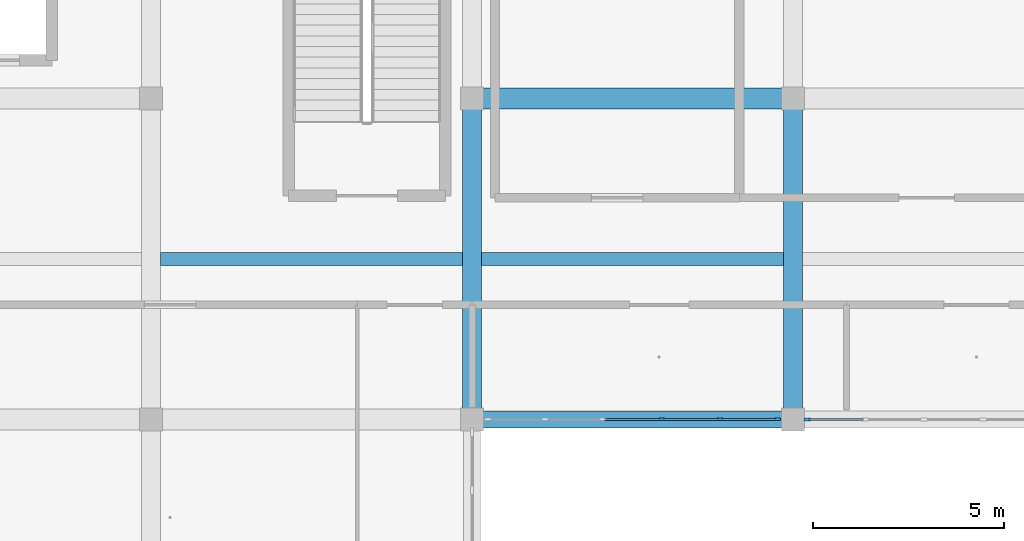
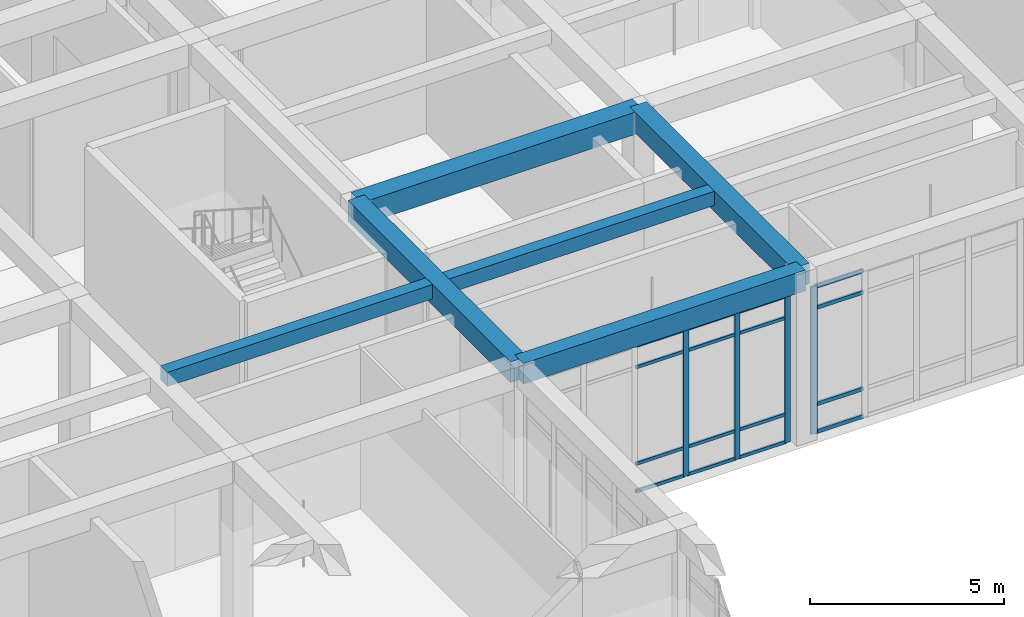
# One storey, part 40 of 157: 20 members, 6 beams, 2 elements without a shape of their own.
"""IFC4 building model written with IfcOpenShell, lengths in metres."""

from ifc_helpers import new_model, si_unit, direction, frame, origin, origin_2d, place, context, subcontext, project, spatial, rectangle, extrude, material, material_profile, profile_set, type_object, element, aggregate, save


model = new_model("IFC4")

# Units and contexts
model_context = context("Model", 3, precision=1e-05, world=origin(), true_north=direction((0.0, 1.0)))
body_context = subcontext(model_context, "Body", "Model", "MODEL_VIEW")
ifc_project = project(units=[si_unit("LENGTHUNIT", "METRE"), si_unit("AREAUNIT", "SQUARE_METRE"), si_unit("VOLUMEUNIT", "CUBIC_METRE"), si_unit("PLANEANGLEUNIT", "RADIAN"), si_unit("MASSUNIT", "GRAM", prefix="KILO")], contexts=[model_context])

# Site, building, storey
site_placement = place(None, origin())
site = spatial("IfcSite", under=ifc_project, at=site_placement, CompositionType="ELEMENT")
building_placement = place(site_placement, origin())
building = spatial("IfcBuilding", under=site, at=building_placement, Name="Varncliffe General Hospital", CompositionType="ELEMENT")
storey_placement = place(building_placement, frame((0.0, 0.0, 5.39990234375)))
storey = spatial("IfcBuildingStorey", under=building, at=storey_placement, Name="L01", CompositionType="ELEMENT", Elevation=5.39990234375)

# Beams
ifc_material_1 = material(Name="Concrete C35/45 (CSA A23.1 35 MPa)", Category="concrete")
ifc_material_profile_1 = material_profile(ifc_material_1, rectangle(XDim=0.5, YDim=0.64990234375, at=origin_2d()), Name="RC 500x650")
ifc_profile_set_1 = profile_set([ifc_material_profile_1], Name="Concrete C35/45 (CSA A23.1 35 MPa)")
beam_type_1 = type_object("IfcBeamType", Name="Beam B29 (Int RC 500x650)", PredefinedType="BEAM", material=ifc_profile_set_1)
for number, where, z_axis, x_axis, name in (
    (1, (117.60009765625, 82.800048828125, 5.0751953125), (0.0, 1.0, 0.0), (-1.0, 0.0, 0.0), "L01 Primary Beam B29-426"),
    (2, (126.0, 82.800048828125, 5.0751953125), (0.0, 1.0, 0.0), (-1.0, 0.0, 0.0), "L01 Primary Beam B29-435"),
):
    element("IfcBeam", number, at=place(storey_placement, frame(where, z_axis=z_axis, x_axis=x_axis)), inside=storey, type_object=beam_type_1, Name=name, PredefinedType="BEAM", context=body_context, shape_type="SweptSolid", body=[
        extrude(rectangle(XDim=0.5, YDim=0.64990234375, at=origin_2d()), origin(), (0.0, 0.0, 1.0), 8.39990234375),
    ])
ifc_material_profile_2 = material_profile(ifc_material_1, rectangle(XDim=0.550048828125, YDim=0.699951171875, at=origin_2d()), Name="RC 550x700")
ifc_profile_set_2 = profile_set([ifc_material_profile_2], Name="Concrete C35/45 (CSA A23.1 35 MPa)")
beam_type_2 = type_object("IfcBeamType", Name="Beam B35 (Int RC 550x700)", PredefinedType="BEAM", material=ifc_profile_set_2)
beam_1_placement = place(storey_placement, frame((117.60009765625, 91.199951171875, 5.050048828125), z_axis=(1.0, 0.0, 0.0), x_axis=(0.0, 1.0, 0.0)))
element("IfcBeam", 3, at=beam_1_placement, inside=storey, type_object=beam_type_2, Name="L01 Primary Beam B35-144", PredefinedType="BEAM", context=body_context, shape_type="SweptSolid", body=[
    extrude(rectangle(XDim=0.550048828125, YDim=0.699951171875, at=origin_2d()), origin(), (0.0, 0.0, 1.0), 8.39990234375),
])

# Curtain wall, member
ifc_material_2 = material(Name="Triple low-E argon insulated vision glazing", Category="glass")
curtain_wall_type_1 = type_object("IfcCurtainWallType", Name="Unitised Glazed Curtain Wall CW70 (7724x4640)", PredefinedType="USERDEFINED", material=ifc_material_2)
curtain_wall_1_placement = place(storey_placement, origin())
curtain_wall_1 = element("IfcCurtainWall", 4, at=curtain_wall_1_placement, inside=storey, type_object=curtain_wall_type_1, Name="L01 Glazed Curtain Wall CW70-70", ObjectType="GLAZED CURTAIN WALL", PredefinedType="USERDEFINED")
ifc_material_3 = material(Name="Dark bronze thermally broken aluminium framing", Category="aluminium")
ifc_material_profile_3 = material_profile(ifc_material_3, rectangle(XDim=0.074951171875, YDim=0.179931640625, at=origin_2d()), Name="ALU 75x180")
ifc_profile_set_3 = profile_set([ifc_material_profile_3], Name="Dark bronze thermally broken aluminium framing")
member_type_1 = type_object("IfcMemberType", Name="Curtain Wall Mullion CM44 (ALU 75x180)", PredefinedType="MULLION", material=ifc_profile_set_3)
member_1_placement = place(storey_placement, frame((126.37548828125, 82.800048828125, 0.0), z_axis=(0.0, 0.0, 1.0), x_axis=(0.0, -1.0, 0.0)))
member_1 = element("IfcMember", 5, at=member_1_placement, type_object=member_type_1, Name="CW70 mullion 6", PredefinedType="MULLION", context=body_context, shape_type="SweptSolid", body=[
    extrude(rectangle(XDim=0.074951171875, YDim=0.179931640625, at=origin_2d()), origin(), (0.0, 0.0, 1.0), 4.64013671875),
])

# Curtain wall, members
curtain_wall_type_2 = type_object("IfcCurtainWallType", Name="Unitised Glazed Curtain Wall CW27 (7644x4640)", PredefinedType="USERDEFINED", material=ifc_material_2)
curtain_wall_2_placement = place(storey_placement, origin())
curtain_wall_2 = element("IfcCurtainWall", 6, at=curtain_wall_2_placement, inside=storey, type_object=curtain_wall_type_2, Name="L01 Glazed Curtain Wall CW27-71", ObjectType="GLAZED CURTAIN WALL", PredefinedType="USERDEFINED")
ifc_material_profile_4 = material_profile(ifc_material_3, rectangle(XDim=0.06494140625, YDim=0.159912109375, at=origin_2d()), Name="ALU 65x160")
ifc_profile_set_4 = profile_set([ifc_material_profile_4], Name="Dark bronze thermally broken aluminium framing")
member_type_2 = type_object("IfcMemberType", Name="Curtain Wall Mullion CM65 (ALU 65x160)", PredefinedType="MULLION", material=ifc_profile_set_4)
member_2_placement = place(storey_placement, frame((125.589599609375, 82.800048828125, 0.0), z_axis=(0.0, 0.0, 1.0), x_axis=(0.0, -1.0, 0.0)))
member_2 = element("IfcMember", 7, at=member_2_placement, type_object=member_type_2, Name="CW27 mullion 1", PredefinedType="MULLION", context=body_context, shape_type="SweptSolid", body=[
    extrude(rectangle(XDim=0.06494140625, YDim=0.159912109375, at=origin_2d()), origin(), (0.0, 0.0, 1.0), 4.64013671875),
])
member_3_placement = place(storey_placement, frame((124.09326171875, 82.800048828125, 0.0), z_axis=(0.0, 0.0, 1.0), x_axis=(0.0, -1.0, 0.0)))
member_3 = element("IfcMember", 8, at=member_3_placement, type_object=member_type_2, Name="CW27 mullion 2", PredefinedType="MULLION", context=body_context, shape_type="SweptSolid", body=[
    extrude(rectangle(XDim=0.06494140625, YDim=0.159912109375, at=origin_2d()), origin(), (0.0, 0.0, 1.0), 4.64013671875),
])
member_4_placement = place(storey_placement, frame((122.564453125, 82.800048828125, 0.0), z_axis=(0.0, 0.0, 1.0), x_axis=(0.0, -1.0, 0.0)))
member_4 = element("IfcMember", 9, at=member_4_placement, type_object=member_type_2, Name="CW27 mullion 3", PredefinedType="MULLION", context=body_context, shape_type="SweptSolid", body=[
    extrude(rectangle(XDim=0.06494140625, YDim=0.159912109375, at=origin_2d()), origin(), (0.0, 0.0, 1.0), 4.64013671875),
])

# Member
ifc_material_profile_5 = material_profile(ifc_material_3, rectangle(XDim=0.06005859375, YDim=0.1201171875, at=origin_2d()), Name="ALU 60x120")
ifc_profile_set_5 = profile_set([ifc_material_profile_5], Name="Dark bronze thermally broken aluminium framing")
member_type_3 = type_object("IfcMemberType", Name="Curtain Wall Transom CT14 (ALU 60x120)", PredefinedType="USERDEFINED", material=ifc_profile_set_5)
member_5_placement = place(storey_placement, frame((127.84521484375, 82.800048828125, 0.030029296875), z_axis=(-1.0, 0.0, 0.0), x_axis=(0.0, -1.0, 0.0)))
member_5 = element("IfcMember", 10, at=member_5_placement, type_object=member_type_3, Name="CW70 transom 5.1", ObjectType="TRANSOM", PredefinedType="USERDEFINED", context=body_context, shape_type="SweptSolid", body=[
    extrude(rectangle(XDim=0.06005859375, YDim=0.1201171875, at=origin_2d()), origin(), (0.0, 0.0, 1.0), 1.43212890625),
])

member_6_placement = place(storey_placement, frame((127.84521484375, 82.800048828125, 0.900146484375), z_axis=(-1.0, 0.0, 0.0), x_axis=(0.0, -1.0, 0.0)))
member_6 = element("IfcMember", 11, at=member_6_placement, type_object=member_type_3, Name="CW70 transom 5.2", ObjectType="TRANSOM", PredefinedType="USERDEFINED", context=body_context, shape_type="SweptSolid", body=[
    extrude(rectangle(XDim=0.06005859375, YDim=0.1201171875, at=origin_2d()), origin(), (0.0, 0.0, 1.0), 1.43212890625),
])

member_7_placement = place(storey_placement, frame((127.84521484375, 82.800048828125, 3.940185546875), z_axis=(-1.0, 0.0, 0.0), x_axis=(0.0, -1.0, 0.0)))
member_7 = element("IfcMember", 12, at=member_7_placement, type_object=member_type_3, Name="CW70 transom 5.3", ObjectType="TRANSOM", PredefinedType="USERDEFINED", context=body_context, shape_type="SweptSolid", body=[
    extrude(rectangle(XDim=0.06005859375, YDim=0.1201171875, at=origin_2d()), origin(), (0.0, 0.0, 1.0), 1.43212890625),
])

member_8_placement = place(storey_placement, frame((127.84521484375, 82.800048828125, 4.610107421875), z_axis=(-1.0, 0.0, 0.0), x_axis=(0.0, -1.0, 0.0)))
member_8 = element("IfcMember", 13, at=member_8_placement, type_object=member_type_3, Name="CW70 transom 5.4", ObjectType="TRANSOM", PredefinedType="USERDEFINED", context=body_context, shape_type="SweptSolid", body=[
    extrude(rectangle(XDim=0.06005859375, YDim=0.1201171875, at=origin_2d()), origin(), (0.0, 0.0, 1.0), 1.43212890625),
])

aggregate(curtain_wall_1, [member_1, member_5, member_6, member_7, member_8])

ifc_material_profile_6 = material_profile(ifc_material_3, rectangle(XDim=0.06005859375, YDim=0.10009765625, at=origin_2d()), Name="ALU 60x100")
ifc_profile_set_6 = profile_set([ifc_material_profile_6], Name="Dark bronze thermally broken aluminium framing")
member_type_4 = type_object("IfcMemberType", Name="Curtain Wall Transom CT18 (ALU 60x100)", PredefinedType="USERDEFINED", material=ifc_profile_set_6)
member_9_placement = place(storey_placement, frame((125.556884765625, 82.800048828125, 0.030029296875), z_axis=(-1.0, 0.0, 0.0), x_axis=(0.0, -1.0, 0.0)))
member_9 = element("IfcMember", 14, at=member_9_placement, type_object=member_type_4, Name="CW27 transom 1.1", ObjectType="TRANSOM", PredefinedType="USERDEFINED", context=body_context, shape_type="SweptSolid", body=[
    extrude(rectangle(XDim=0.06005859375, YDim=0.10009765625, at=origin_2d()), origin(), (0.0, 0.0, 1.0), 1.43115234375),
])

member_10_placement = place(storey_placement, frame((125.556884765625, 82.800048828125, 0.900146484375), z_axis=(-1.0, 0.0, 0.0), x_axis=(0.0, -1.0, 0.0)))
member_10 = element("IfcMember", 15, at=member_10_placement, type_object=member_type_4, Name="CW27 transom 1.2", ObjectType="TRANSOM", PredefinedType="USERDEFINED", context=body_context, shape_type="SweptSolid", body=[
    extrude(rectangle(XDim=0.06005859375, YDim=0.10009765625, at=origin_2d()), origin(), (0.0, 0.0, 1.0), 1.43115234375),
])

member_11_placement = place(storey_placement, frame((125.556884765625, 82.800048828125, 3.940185546875), z_axis=(-1.0, 0.0, 0.0), x_axis=(0.0, -1.0, 0.0)))
member_11 = element("IfcMember", 16, at=member_11_placement, type_object=member_type_4, Name="CW27 transom 1.3", ObjectType="TRANSOM", PredefinedType="USERDEFINED", context=body_context, shape_type="SweptSolid", body=[
    extrude(rectangle(XDim=0.06005859375, YDim=0.10009765625, at=origin_2d()), origin(), (0.0, 0.0, 1.0), 1.43115234375),
])

member_12_placement = place(storey_placement, frame((125.556884765625, 82.800048828125, 4.610107421875), z_axis=(-1.0, 0.0, 0.0), x_axis=(0.0, -1.0, 0.0)))
member_12 = element("IfcMember", 17, at=member_12_placement, type_object=member_type_4, Name="CW27 transom 1.4", ObjectType="TRANSOM", PredefinedType="USERDEFINED", context=body_context, shape_type="SweptSolid", body=[
    extrude(rectangle(XDim=0.06005859375, YDim=0.10009765625, at=origin_2d()), origin(), (0.0, 0.0, 1.0), 1.43115234375),
])

member_13_placement = place(storey_placement, frame((124.060791015625, 82.800048828125, 0.030029296875), z_axis=(-1.0, 0.0, 0.0), x_axis=(0.0, -1.0, 0.0)))
member_13 = element("IfcMember", 18, at=member_13_placement, type_object=member_type_4, Name="CW27 transom 2.1", ObjectType="TRANSOM", PredefinedType="USERDEFINED", context=body_context, shape_type="SweptSolid", body=[
    extrude(rectangle(XDim=0.06005859375, YDim=0.10009765625, at=origin_2d()), origin(), (0.0, 0.0, 1.0), 1.4638671875),
])

member_14_placement = place(storey_placement, frame((124.060791015625, 82.800048828125, 0.900146484375), z_axis=(-1.0, 0.0, 0.0), x_axis=(0.0, -1.0, 0.0)))
member_14 = element("IfcMember", 19, at=member_14_placement, type_object=member_type_4, Name="CW27 transom 2.2", ObjectType="TRANSOM", PredefinedType="USERDEFINED", context=body_context, shape_type="SweptSolid", body=[
    extrude(rectangle(XDim=0.06005859375, YDim=0.10009765625, at=origin_2d()), origin(), (0.0, 0.0, 1.0), 1.4638671875),
])

member_15_placement = place(storey_placement, frame((124.060791015625, 82.800048828125, 3.940185546875), z_axis=(-1.0, 0.0, 0.0), x_axis=(0.0, -1.0, 0.0)))
member_15 = element("IfcMember", 20, at=member_15_placement, type_object=member_type_4, Name="CW27 transom 2.3", ObjectType="TRANSOM", PredefinedType="USERDEFINED", context=body_context, shape_type="SweptSolid", body=[
    extrude(rectangle(XDim=0.06005859375, YDim=0.10009765625, at=origin_2d()), origin(), (0.0, 0.0, 1.0), 1.4638671875),
])

member_16_placement = place(storey_placement, frame((124.060791015625, 82.800048828125, 4.610107421875), z_axis=(-1.0, 0.0, 0.0), x_axis=(0.0, -1.0, 0.0)))
member_16 = element("IfcMember", 21, at=member_16_placement, type_object=member_type_4, Name="CW27 transom 2.4", ObjectType="TRANSOM", PredefinedType="USERDEFINED", context=body_context, shape_type="SweptSolid", body=[
    extrude(rectangle(XDim=0.06005859375, YDim=0.10009765625, at=origin_2d()), origin(), (0.0, 0.0, 1.0), 1.4638671875),
])

member_17_placement = place(storey_placement, frame((122.531982421875, 82.800048828125, 0.030029296875), z_axis=(-1.0, 0.0, 0.0), x_axis=(0.0, -1.0, 0.0)))
member_17 = element("IfcMember", 22, at=member_17_placement, type_object=member_type_4, Name="CW27 transom 3.1", ObjectType="TRANSOM", PredefinedType="USERDEFINED", context=body_context, shape_type="SweptSolid", body=[
    extrude(rectangle(XDim=0.06005859375, YDim=0.10009765625, at=origin_2d()), origin(), (0.0, 0.0, 1.0), 1.4638671875),
])

member_18_placement = place(storey_placement, frame((122.531982421875, 82.800048828125, 0.900146484375), z_axis=(-1.0, 0.0, 0.0), x_axis=(0.0, -1.0, 0.0)))
member_18 = element("IfcMember", 23, at=member_18_placement, type_object=member_type_4, Name="CW27 transom 3.2", ObjectType="TRANSOM", PredefinedType="USERDEFINED", context=body_context, shape_type="SweptSolid", body=[
    extrude(rectangle(XDim=0.06005859375, YDim=0.10009765625, at=origin_2d()), origin(), (0.0, 0.0, 1.0), 1.4638671875),
])

member_19_placement = place(storey_placement, frame((122.531982421875, 82.800048828125, 3.940185546875), z_axis=(-1.0, 0.0, 0.0), x_axis=(0.0, -1.0, 0.0)))
member_19 = element("IfcMember", 24, at=member_19_placement, type_object=member_type_4, Name="CW27 transom 3.3", ObjectType="TRANSOM", PredefinedType="USERDEFINED", context=body_context, shape_type="SweptSolid", body=[
    extrude(rectangle(XDim=0.06005859375, YDim=0.10009765625, at=origin_2d()), origin(), (0.0, 0.0, 1.0), 1.4638671875),
])

member_20_placement = place(storey_placement, frame((122.531982421875, 82.800048828125, 4.610107421875), z_axis=(-1.0, 0.0, 0.0), x_axis=(0.0, -1.0, 0.0)))
member_20 = element("IfcMember", 25, at=member_20_placement, type_object=member_type_4, Name="CW27 transom 3.4", ObjectType="TRANSOM", PredefinedType="USERDEFINED", context=body_context, shape_type="SweptSolid", body=[
    extrude(rectangle(XDim=0.06005859375, YDim=0.10009765625, at=origin_2d()), origin(), (0.0, 0.0, 1.0), 1.4638671875),
])

aggregate(curtain_wall_2, [member_2, member_3, member_4, member_9, member_10, member_11, member_12, member_13, member_14, member_15, member_16, member_17, member_18, member_19, member_20])

# Beams
ifc_material_profile_7 = material_profile(ifc_material_1, rectangle(XDim=0.35009765625, YDim=0.449951171875, at=origin_2d()), Name="RC 350x450")
ifc_profile_set_7 = profile_set([ifc_material_profile_7], Name="Concrete C35/45 (CSA A23.1 35 MPa)")
beam_type_3 = type_object("IfcBeamType", Name="Joist J55 (Int RC 350x450)", PredefinedType="JOIST", material=ifc_profile_set_7)
for number, where, z_axis, x_axis, name in (
    (26, (109.447998046875, 87.0, 5.175048828125), (1.0, 0.0, 0.0), (0.0, 1.0, 0.0), "L01 Secondary Floor Rib J55-57"),
    (27, (117.847900390625, 87.0, 5.175048828125), (1.0, 0.0, 0.0), (0.0, 1.0, 0.0), "L01 Secondary Floor Rib J55-60"),
):
    element("IfcBeam", number, at=place(storey_placement, frame(where, z_axis=z_axis, x_axis=x_axis)), inside=storey, type_object=beam_type_3, Name=name, PredefinedType="JOIST", context=body_context, shape_type="SweptSolid", body=[
        extrude(rectangle(XDim=0.35009765625, YDim=0.449951171875, at=origin_2d()), origin(), (0.0, 0.0, 1.0), 7.904052734375),
    ])
ifc_material_profile_8 = material_profile(ifc_material_1, rectangle(XDim=0.449951171875, YDim=0.64990234375, at=origin_2d()), Name="RC 450x650")
ifc_profile_set_8 = profile_set([ifc_material_profile_8], Name="Concrete C35/45 (CSA A23.1 35 MPa)")
beam_type_4 = type_object("IfcBeamType", Name="Spandrel SP38 (Ext RC 450x650B)", PredefinedType="SPANDREL", material=ifc_profile_set_8)
beam_2_placement = place(storey_placement, frame((117.60009765625, 82.800048828125, 5.0751953125), z_axis=(1.0, 0.0, 0.0), x_axis=(0.0, 1.0, 0.0)))
element("IfcBeam", 28, at=beam_2_placement, inside=storey, type_object=beam_type_4, Name="L01 Spandrel Beam SP38-126", PredefinedType="SPANDREL", context=body_context, shape_type="SweptSolid", body=[
    extrude(rectangle(XDim=0.449951171875, YDim=0.64990234375, at=origin_2d()), origin(), (0.0, 0.0, 1.0), 8.39990234375),
])

save(model, "model.ifc")
